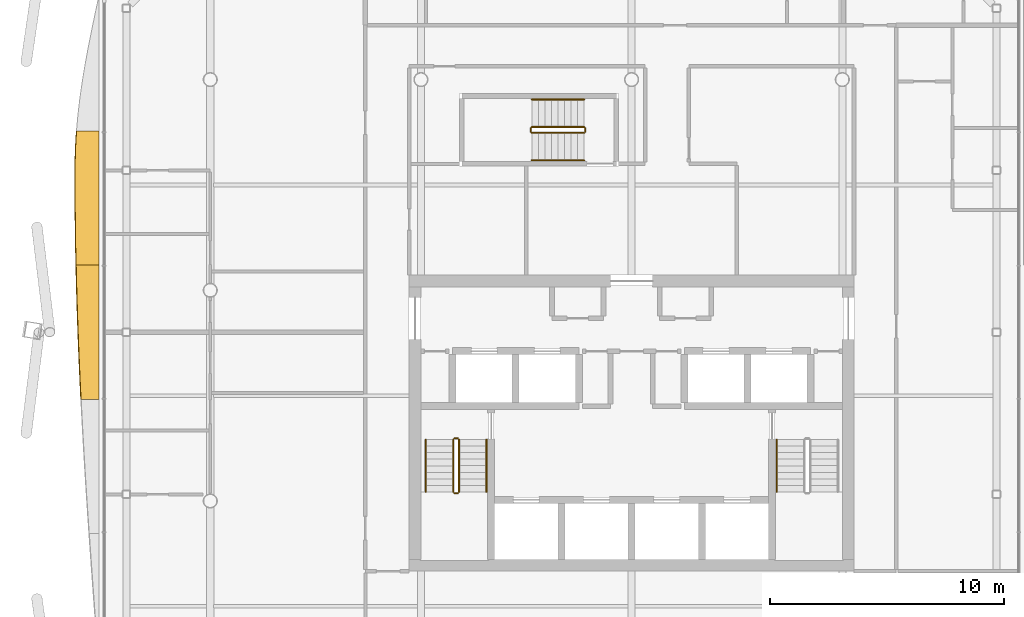
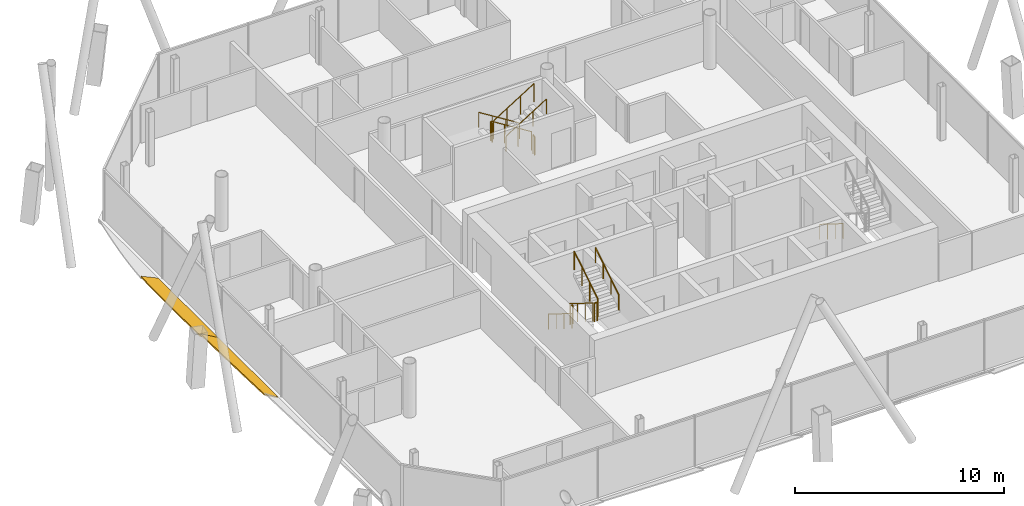
# One storey, part 18 of 20: 13 railings, 2 shading devices.
"""IFC4 building model written with IfcOpenShell, lengths in metres."""

from ifc_helpers import new_model, si_unit, direction, frame, origin, origin_2d, place, context, subcontext, project, spatial, polyline, circle, outline, extrude, material, layer, layer_set, type_object, element, save


model = new_model("IFC4")

# Units and contexts
model_context = context("Model", 3, precision=1e-05, world=origin(), true_north=direction((0.0, 1.0)))
body_context = subcontext(model_context, "Body", "Model", "MODEL_VIEW")
ifc_project = project(units=[si_unit("LENGTHUNIT", "METRE"), si_unit("AREAUNIT", "SQUARE_METRE"), si_unit("VOLUMEUNIT", "CUBIC_METRE"), si_unit("PLANEANGLEUNIT", "RADIAN"), si_unit("MASSUNIT", "GRAM", prefix="KILO")], contexts=[model_context])

# Site, building, storey
site_placement = place(None, origin())
site = spatial("IfcSite", under=ifc_project, at=site_placement, CompositionType="ELEMENT")
building_placement = place(site_placement, origin())
building = spatial("IfcBuilding", under=site, at=building_placement, Name="Tskaro Facet Tower", CompositionType="ELEMENT")
storey_placement = place(building_placement, frame((0.0, 0.0, 200.550048828125)))
storey = spatial("IfcBuildingStorey", under=building, at=storey_placement, Name="L51", CompositionType="ELEMENT", Elevation=200.550048828125)

# Shading devices
ifc_material_1 = material(Name="Bronze anodised aluminium 6063-T6", Category="aluminium")
ifc_layer = layer(ifc_material_1, 0.06005859375, Name="Bronze anodised aluminium 6063-T6")
ifc_layer_set = layer_set([ifc_layer], Name="Bronze anodised aluminium 6063-T6")
shading_device_type = type_object("IfcShadingDeviceType", Name="Bronze sun blade (FN1)", PredefinedType="USERDEFINED", material=ifc_layer_set)
shading_device_1_placement = place(storey_placement, frame((-22.757568359375, 6.808349609375, 0.054443359375), z_axis=(0.422474971415, 1.9231765e-05, 0.90637459042), x_axis=(8.12494e-06, -0.999999999815, 1.7431184e-05)))
element("IfcShadingDevice", 1, at=shading_device_1_placement, inside=storey, type_object=shading_device_type, Name="Fin blade west 2", ObjectType="FIN", PredefinedType="USERDEFINED", context=body_context, shape_type="SweptSolid", body=[
    extrude(outline(polyline([(0.0, 0.0), (5.7346191395644945, -4.857411352064517e-21), (5.734619141823982, -1.0734524512997339), (5.017822264825321, -1.0892930091793607), (4.300781247743308, -1.1021837390917213), (3.5839843738114845, -1.111903358177785), (2.8671875004212666, -1.1186731492965825), (2.1503906272842506, -1.1219474034264663), (1.72021484441858, -1.1227143953071435), (1.4335937495679674, -1.1205315592205545), (0.7167968730824881, -1.0975967840595129), (-1.9189855701629477e-09, -1.049647540954428), (0.0, 0.0)])), origin(), (0.0, 0.0, -1.0), 0.06005859375),
])
shading_device_2_placement = place(storey_placement, frame((-22.7529296875, 1.07373046875, 0.052001953125), z_axis=(0.499909348802, 1.991549e-06, 0.86607773495), x_axis=(9.95594e-07, -0.999999999998, 1.724837e-06)))
element("IfcShadingDevice", 2, at=shading_device_2_placement, inside=storey, type_object=shading_device_type, Name="Fin blade west 3", ObjectType="FIN", PredefinedType="USERDEFINED", context=body_context, shape_type="SweptSolid", body=[
    extrude(outline(polyline([(0.0, 0.0), (5.734619140613628, 0.0), (5.734619140574749, -0.8820296671393109), (5.017822265413324, -0.921729280879852), (4.300781249887011, -0.9592491438208748), (3.583984375132795, -0.99371082532213), (2.8671875000395484, -1.025537214902637), (2.150390624850335, -1.0545168678028858), (1.433593750229323, -1.080560387444227), (0.7167968750912422, -1.1036351222244503), (-7.777768244022553e-11, -1.123318182624536), (0.0, 0.0)])), origin(), (0.0, 0.0, -1.0), 0.06005859375),
])

# Railings
ifc_material_2 = material(Name="Stainless steel", Category="steel")
railing_type_1 = type_object("IfcRailingType", Name="RL-GUARD-1100", PredefinedType="GUARDRAIL", material=ifc_material_2)
railing_1_placement = place(storey_placement, frame((-7.625, -6.375, 0.175048828125)))
element("IfcRailing", 3, at=railing_1_placement, inside=storey, type_object=railing_type_1, Name="L51 ST-1 stair guard 1", PredefinedType="GUARDRAIL", context=body_context, shape_type="SweptSolid", body=[
    extrude(circle(Radius=0.02392578125, at=origin_2d()), frame((0.0, 0.0, 1.076171875), z_axis=(0.0, -0.848013881152, 0.529974015752), x_axis=(1.0, 0.0, 0.0)), (0.0, 0.0, 1.0), 2.641357421875),
    extrude(circle(Radius=0.02099609375, at=origin_2d()), origin(), (0.0, 0.0, 1.0), 1.052001953125),
    extrude(circle(Radius=0.02099609375, at=origin_2d()), frame((0.0, -0.74658203125, 0.466552734375)), (0.0, 0.0, 1.0), 1.052001953125),
    extrude(circle(Radius=0.02099609375, at=origin_2d()), frame((0.0, -1.493408203125, 0.933349609375)), (0.0, 0.0, 1.0), 1.052001953125),
    extrude(circle(Radius=0.02099609375, at=origin_2d()), frame((0.0, -2.239990234375, 1.39990234375)), (0.0, 0.0, 1.0), 1.052001953125),
])
railing_2_placement = place(storey_placement, frame((-7.574951171875, -8.6650390625, 1.574951171875)))
element("IfcRailing", 4, at=railing_2_placement, inside=storey, type_object=railing_type_1, Name="L51 ST-1 stair guard 2", PredefinedType="GUARDRAIL", context=body_context, shape_type="SweptSolid", body=[
    extrude(circle(Radius=0.02392578125, at=origin_2d()), frame((0.0, 0.0, 1.076171875), z_axis=(1.0, 0.0, 0.0), x_axis=(0.0, 1.0, 0.0)), (0.0, 0.0, 1.0), 0.14990234375),
    extrude(circle(Radius=0.02099609375, at=origin_2d()), origin(), (0.0, 0.0, 1.0), 1.052001953125),
    extrude(circle(Radius=0.02099609375, at=origin_2d()), frame((0.14990234375, 0.0, 0.0)), (0.0, 0.0, 1.0), 1.052001953125),
])
railing_3_placement = place(storey_placement, frame((-7.375, -8.614990234375, 1.75)))
element("IfcRailing", 5, at=railing_3_placement, inside=storey, type_object=railing_type_1, Name="L51 ST-1 stair guard 3", PredefinedType="GUARDRAIL", context=body_context, shape_type="SweptSolid", body=[
    extrude(circle(Radius=0.02392578125, at=origin_2d()), frame((0.0, 0.0, 1.076171875), z_axis=(0.0, 0.848013881152, 0.529974015752), x_axis=(-1.0, 0.0, 0.0)), (0.0, 0.0, 1.0), 2.641357421875),
    extrude(circle(Radius=0.02099609375, at=origin_2d()), origin(), (0.0, 0.0, 1.0), 1.052001953125),
    extrude(circle(Radius=0.02099609375, at=origin_2d()), frame((0.0, 0.74658203125, 0.466552734375)), (0.0, 0.0, 1.0), 1.052001953125),
    extrude(circle(Radius=0.02099609375, at=origin_2d()), frame((0.0, 1.493408203125, 0.933349609375)), (0.0, 0.0, 1.0), 1.052001953125),
    extrude(circle(Radius=0.02099609375, at=origin_2d()), frame((0.0, 2.239990234375, 1.39990234375)), (0.0, 0.0, 1.0), 1.052001953125),
])
railing_4_placement = place(storey_placement, frame((-7.574951171875, -6.324951171875, 0.0)))
element("IfcRailing", 6, at=railing_4_placement, inside=storey, type_object=railing_type_1, Name="L51 ST-1 stair guard 4", PredefinedType="GUARDRAIL", context=body_context, shape_type="SweptSolid", body=[
    extrude(circle(Radius=0.02392578125, at=origin_2d()), frame((0.0, 0.0, 1.076171875), z_axis=(1.0, 0.0, 0.0), x_axis=(0.0, 1.0, 0.0)), (0.0, 0.0, 1.0), 0.14990234375),
    extrude(circle(Radius=0.02099609375, at=origin_2d()), origin(), (0.0, 0.0, 1.0), 1.052001953125),
    extrude(circle(Radius=0.02099609375, at=origin_2d()), frame((0.14990234375, 0.0, 0.0)), (0.0, 0.0, 1.0), 1.052001953125),
])
railing_5_placement = place(storey_placement, frame((-2.02490234375, 6.97509765625, 0.175048828125)))
element("IfcRailing", 7, at=railing_5_placement, inside=storey, type_object=railing_type_1, Name="L51 ST-3 stair guard 1", PredefinedType="GUARDRAIL", context=body_context, shape_type="SweptSolid", body=[
    extrude(circle(Radius=0.02392578125, at=origin_2d()), frame((0.0, 0.0, 1.076171875), z_axis=(-0.848013881152, 0.0, 0.529974015752), x_axis=(0.0, -1.0, 0.0)), (0.0, 0.0, 1.0), 2.641357421875),
    extrude(circle(Radius=0.02099609375, at=origin_2d()), origin(), (0.0, 0.0, 1.0), 1.052001953125),
    extrude(circle(Radius=0.02099609375, at=origin_2d()), frame((-0.74658203125, 0.0, 0.466552734375)), (0.0, 0.0, 1.0), 1.052001953125),
    extrude(circle(Radius=0.02099609375, at=origin_2d()), frame((-1.493408203125, 0.0, 0.933349609375)), (0.0, 0.0, 1.0), 1.052001953125),
    extrude(circle(Radius=0.02099609375, at=origin_2d()), frame((-2.239990234375, 0.0, 1.39990234375)), (0.0, 0.0, 1.0), 1.052001953125),
])
railing_6_placement = place(storey_placement, frame((-4.31494140625, 6.925048828125, 1.574951171875)))
element("IfcRailing", 8, at=railing_6_placement, inside=storey, type_object=railing_type_1, Name="L51 ST-3 stair guard 2", PredefinedType="GUARDRAIL", context=body_context, shape_type="SweptSolid", body=[
    extrude(circle(Radius=0.02392578125, at=origin_2d()), frame((0.0, 0.0, 1.076171875), z_axis=(0.0, -1.0, 0.0), x_axis=(1.0, 0.0, 0.0)), (0.0, 0.0, 1.0), 0.150146484375),
    extrude(circle(Radius=0.02099609375, at=origin_2d()), origin(), (0.0, 0.0, 1.0), 1.052001953125),
    extrude(circle(Radius=0.02099609375, at=origin_2d()), frame((0.0, -0.150146484375, 0.0)), (0.0, 0.0, 1.0), 1.052001953125),
])
railing_7_placement = place(storey_placement, frame((-4.264892578125, 6.72509765625, 1.75)))
element("IfcRailing", 9, at=railing_7_placement, inside=storey, type_object=railing_type_1, Name="L51 ST-3 stair guard 3", PredefinedType="GUARDRAIL", context=body_context, shape_type="SweptSolid", body=[
    extrude(circle(Radius=0.02392578125, at=origin_2d()), frame((0.0, 0.0, 1.076171875), z_axis=(0.848013881152, 0.0, 0.529974015752), x_axis=(0.0, 1.0, 0.0)), (0.0, 0.0, 1.0), 2.641357421875),
    extrude(circle(Radius=0.02099609375, at=origin_2d()), origin(), (0.0, 0.0, 1.0), 1.052001953125),
    extrude(circle(Radius=0.02099609375, at=origin_2d()), frame((0.74658203125, 0.0, 0.466552734375)), (0.0, 0.0, 1.0), 1.052001953125),
    extrude(circle(Radius=0.02099609375, at=origin_2d()), frame((1.493408203125, 0.0, 0.933349609375)), (0.0, 0.0, 1.0), 1.052001953125),
    extrude(circle(Radius=0.02099609375, at=origin_2d()), frame((2.239990234375, 0.0, 1.39990234375)), (0.0, 0.0, 1.0), 1.052001953125),
])
railing_8_placement = place(storey_placement, frame((-1.97509765625, 6.925048828125, 0.0)))
element("IfcRailing", 10, at=railing_8_placement, inside=storey, type_object=railing_type_1, Name="L51 ST-3 stair guard 4", PredefinedType="GUARDRAIL", context=body_context, shape_type="SweptSolid", body=[
    extrude(circle(Radius=0.02392578125, at=origin_2d()), frame((0.0, 0.0, 1.076171875), z_axis=(0.0, -1.0, 0.0), x_axis=(1.0, 0.0, 0.0)), (0.0, 0.0, 1.0), 0.150146484375),
    extrude(circle(Radius=0.02099609375, at=origin_2d()), origin(), (0.0, 0.0, 1.0), 1.052001953125),
    extrude(circle(Radius=0.02099609375, at=origin_2d()), frame((0.0, -0.150146484375, 0.0)), (0.0, 0.0, 1.0), 1.052001953125),
])
railing_type_2 = type_object("IfcRailingType", Name="RL-HANDRAIL-900", PredefinedType="HANDRAIL", material=ifc_material_2)
railing_9_placement = place(storey_placement, frame((-8.800048828125, -6.375, 0.175048828125)))
element("IfcRailing", 11, at=railing_9_placement, inside=storey, type_object=railing_type_2, Name="L51 ST-1 stair handrail 1", PredefinedType="HANDRAIL", context=body_context, shape_type="SweptSolid", body=[
    extrude(circle(Radius=0.02392578125, at=origin_2d()), frame((0.0, 0.0, 0.8759765625), z_axis=(0.0, -0.848013881152, 0.529974015752), x_axis=(1.0, 0.0, 0.0)), (0.0, 0.0, 1.0), 2.641357421875),
    extrude(circle(Radius=0.02099609375, at=origin_2d()), origin(), (0.0, 0.0, 1.0), 0.851806640625),
    extrude(circle(Radius=0.02099609375, at=origin_2d()), frame((0.0, -0.74658203125, 0.466552734375)), (0.0, 0.0, 1.0), 0.851806640625),
    extrude(circle(Radius=0.02099609375, at=origin_2d()), frame((0.0, -1.493408203125, 0.933349609375)), (0.0, 0.0, 1.0), 0.851806640625),
    extrude(circle(Radius=0.02099609375, at=origin_2d()), frame((0.0, -2.239990234375, 1.39990234375)), (0.0, 0.0, 1.0), 0.851806640625),
])
railing_10_placement = place(storey_placement, frame((-6.199951171875, -8.614990234375, 1.75)))
element("IfcRailing", 12, at=railing_10_placement, inside=storey, type_object=railing_type_2, Name="L51 ST-1 stair handrail 2", PredefinedType="HANDRAIL", context=body_context, shape_type="SweptSolid", body=[
    extrude(circle(Radius=0.02392578125, at=origin_2d()), frame((0.0, 0.0, 0.8759765625), z_axis=(0.0, 0.848013881152, 0.529974015752), x_axis=(-1.0, 0.0, 0.0)), (0.0, 0.0, 1.0), 2.641357421875),
    extrude(circle(Radius=0.02099609375, at=origin_2d()), origin(), (0.0, 0.0, 1.0), 0.851806640625),
    extrude(circle(Radius=0.02099609375, at=origin_2d()), frame((0.0, 0.74658203125, 0.466552734375)), (0.0, 0.0, 1.0), 0.851806640625),
    extrude(circle(Radius=0.02099609375, at=origin_2d()), frame((0.0, 1.493408203125, 0.933349609375)), (0.0, 0.0, 1.0), 0.851806640625),
    extrude(circle(Radius=0.02099609375, at=origin_2d()), frame((0.0, 2.239990234375, 1.39990234375)), (0.0, 0.0, 1.0), 0.851806640625),
])
railing_11_placement = place(storey_placement, frame((6.199951171875, -6.375, 0.175048828125)))
element("IfcRailing", 13, at=railing_11_placement, inside=storey, type_object=railing_type_2, Name="L51 ST-2 stair handrail 1", PredefinedType="HANDRAIL", context=body_context, shape_type="SweptSolid", body=[
    extrude(circle(Radius=0.02392578125, at=origin_2d()), frame((0.0, 0.0, 0.8759765625), z_axis=(0.0, -0.848013881152, 0.529974015752), x_axis=(1.0, 0.0, 0.0)), (0.0, 0.0, 1.0), 2.641357421875),
    extrude(circle(Radius=0.02099609375, at=origin_2d()), origin(), (0.0, 0.0, 1.0), 0.851806640625),
    extrude(circle(Radius=0.02099609375, at=origin_2d()), frame((0.0, -0.74658203125, 0.466552734375)), (0.0, 0.0, 1.0), 0.851806640625),
    extrude(circle(Radius=0.02099609375, at=origin_2d()), frame((0.0, -1.493408203125, 0.933349609375)), (0.0, 0.0, 1.0), 0.851806640625),
    extrude(circle(Radius=0.02099609375, at=origin_2d()), frame((0.0, -2.239990234375, 1.39990234375)), (0.0, 0.0, 1.0), 0.851806640625),
])
railing_12_placement = place(storey_placement, frame((-2.02490234375, 8.14990234375, 0.175048828125)))
element("IfcRailing", 14, at=railing_12_placement, inside=storey, type_object=railing_type_2, Name="L51 ST-3 stair handrail 1", PredefinedType="HANDRAIL", context=body_context, shape_type="SweptSolid", body=[
    extrude(circle(Radius=0.02392578125, at=origin_2d()), frame((0.0, 0.0, 0.8759765625), z_axis=(-0.848013881152, 0.0, 0.529974015752), x_axis=(0.0, -1.0, 0.0)), (0.0, 0.0, 1.0), 2.641357421875),
    extrude(circle(Radius=0.02099609375, at=origin_2d()), origin(), (0.0, 0.0, 1.0), 0.851806640625),
    extrude(circle(Radius=0.02099609375, at=origin_2d()), frame((-0.74658203125, 0.0, 0.466552734375)), (0.0, 0.0, 1.0), 0.851806640625),
    extrude(circle(Radius=0.02099609375, at=origin_2d()), frame((-1.493408203125, 0.0, 0.933349609375)), (0.0, 0.0, 1.0), 0.851806640625),
    extrude(circle(Radius=0.02099609375, at=origin_2d()), frame((-2.239990234375, 0.0, 1.39990234375)), (0.0, 0.0, 1.0), 0.851806640625),
])
railing_13_placement = place(storey_placement, frame((-4.264892578125, 5.550048828125, 1.75)))
element("IfcRailing", 15, at=railing_13_placement, inside=storey, type_object=railing_type_2, Name="L51 ST-3 stair handrail 2", PredefinedType="HANDRAIL", context=body_context, shape_type="SweptSolid", body=[
    extrude(circle(Radius=0.02392578125, at=origin_2d()), frame((0.0, 0.0, 0.8759765625), z_axis=(0.848013881152, 0.0, 0.529974015752), x_axis=(0.0, 1.0, 0.0)), (0.0, 0.0, 1.0), 2.641357421875),
    extrude(circle(Radius=0.02099609375, at=origin_2d()), origin(), (0.0, 0.0, 1.0), 0.851806640625),
    extrude(circle(Radius=0.02099609375, at=origin_2d()), frame((0.74658203125, 0.0, 0.466552734375)), (0.0, 0.0, 1.0), 0.851806640625),
    extrude(circle(Radius=0.02099609375, at=origin_2d()), frame((1.493408203125, 0.0, 0.933349609375)), (0.0, 0.0, 1.0), 0.851806640625),
    extrude(circle(Radius=0.02099609375, at=origin_2d()), frame((2.239990234375, 0.0, 1.39990234375)), (0.0, 0.0, 1.0), 0.851806640625),
])

save(model, "model.ifc")
